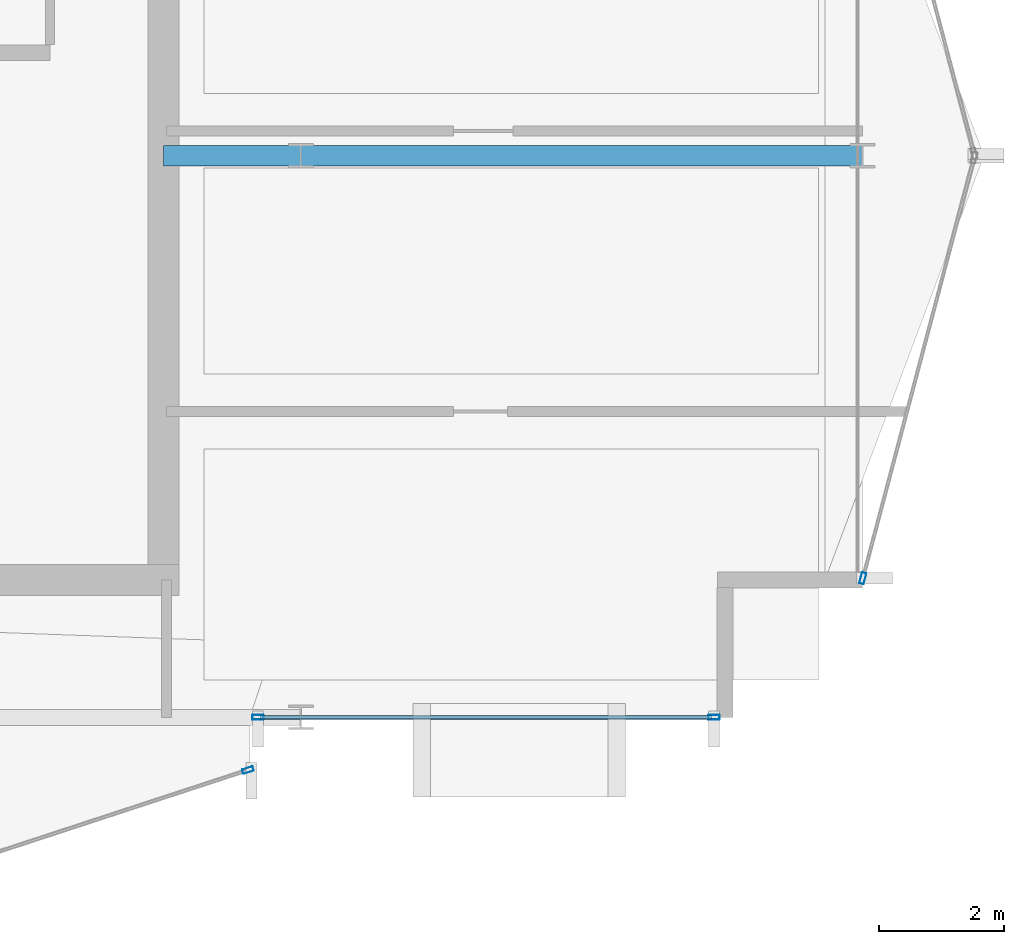
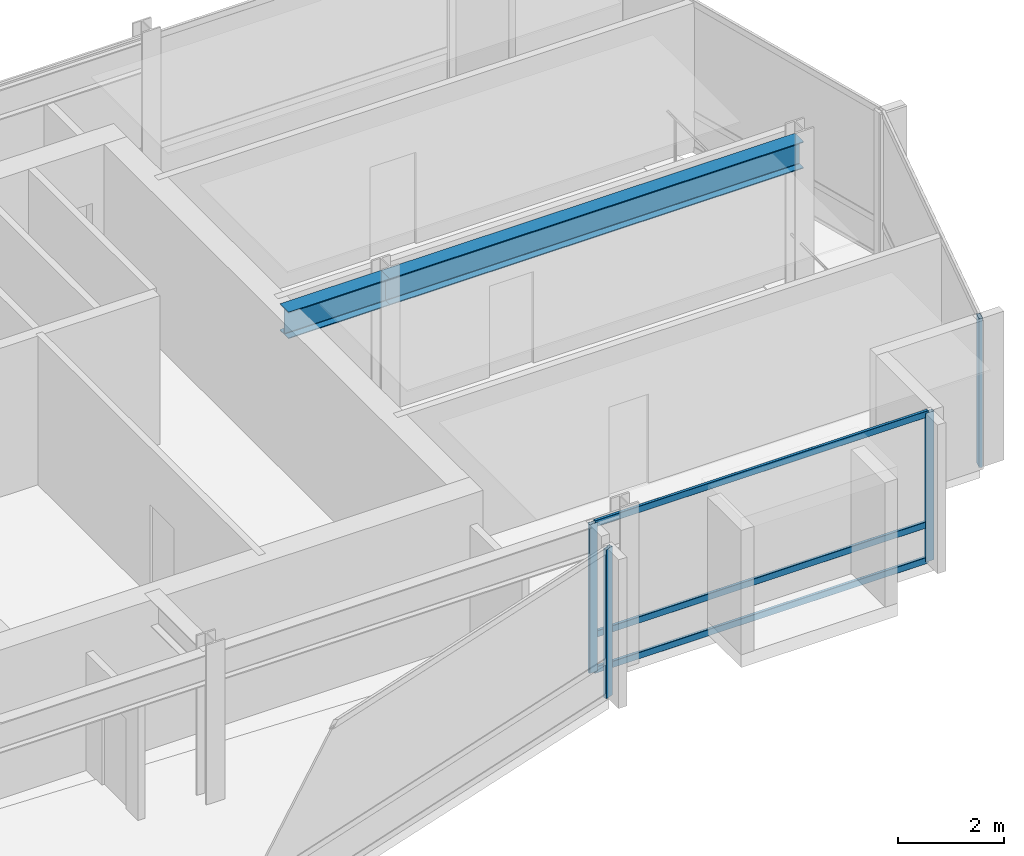
# One storey, part 10 of 28: 7 members, 2 beams, 3 elements without a shape of their own.
"""IFC4 building model written with IfcOpenShell, lengths in metres."""

from ifc_helpers import new_model, si_unit, direction, frame, origin, origin_2d, place, context, subcontext, project, spatial, hollow_rectangle, i_section, extrude, material, layer, layer_set, material_profile, profile_set, type_object, element, aggregate, save


model = new_model("IFC4")

# Units and contexts
model_context = context("Model", 3, precision=1e-05, world=origin(), true_north=direction((0.0, 1.0)))
body_context = subcontext(model_context, "Body", "Model", "MODEL_VIEW")
ifc_project = project(units=[si_unit("LENGTHUNIT", "METRE"), si_unit("AREAUNIT", "SQUARE_METRE"), si_unit("VOLUMEUNIT", "CUBIC_METRE"), si_unit("PLANEANGLEUNIT", "RADIAN"), si_unit("MASSUNIT", "GRAM", prefix="KILO")], contexts=[model_context])

# Site, building, storey
site_placement = place(None, origin())
site = spatial("IfcSite", under=ifc_project, at=site_placement, CompositionType="ELEMENT")
building_placement = place(site_placement, origin())
building = spatial("IfcBuilding", under=site, at=building_placement, Name="Solvaryn Broadcast Tower", CompositionType="ELEMENT")
storey_placement = place(building_placement, frame((0.0, 0.0, 213.60009765625)))
storey = spatial("IfcBuildingStorey", under=building, at=storey_placement, Name="L53", CompositionType="ELEMENT", Elevation=213.60009765625)

# Beams
ifc_material_1 = material(Name="Steel ASTM A992 Grade 50", Category="steel")
ifc_material_profile_1 = material_profile(ifc_material_1, i_section(OverallWidth=0.323974609375, OverallDepth=0.611083984375, WebThickness=0.0126953125, FlangeThickness=0.01904296875, FilletRadius=0.014892578125, at=origin_2d()))
ifc_profile_set_1 = profile_set([ifc_material_profile_1], Name="Steel ASTM A992 Grade 50")
beam_type = type_object("IfcBeamType", Name="BM-B1-W24X104", PredefinedType="BEAM", material=ifc_profile_set_1)
beam_1_placement = place(storey_placement, frame((45.0, 18.0, 3.114501953125), z_axis=(1.0, 0.0, 0.0), x_axis=(0.0, 1.0, 0.0)))
element("IfcBeam", 1, at=beam_1_placement, inside=storey, type_object=beam_type, Name="L53 Primary Beam X (45-54 @ Y=18)", PredefinedType="BEAM", context=body_context, shape_type="SweptSolid", body=[
    extrude(i_section(OverallWidth=0.323974609375, OverallDepth=0.611083984375, WebThickness=0.0126953125, FlangeThickness=0.01904296875, FilletRadius=0.014892578125, at=origin_2d()), origin(), (0.0, 0.0, 1.0), 9.0),
])
beam_2_placement = place(storey_placement, frame((42.800048828125, 18.0, 3.114501953125), z_axis=(1.0, 0.0, 0.0), x_axis=(0.0, 1.0, 0.0)))
element("IfcBeam", 2, at=beam_2_placement, inside=storey, type_object=beam_type, Name="L53 Core Tie Beam CTE3", PredefinedType="BEAM", context=body_context, shape_type="SweptSolid", body=[
    extrude(i_section(OverallWidth=0.323974609375, OverallDepth=0.611083984375, WebThickness=0.0126953125, FlangeThickness=0.01904296875, FilletRadius=0.014892578125, at=origin_2d()), origin(), (0.0, 0.0, 1.0), 2.199951171875),
])

# Curtain wall, member
ifc_material_2 = material(Name="Aluminium and Terracotta Unitised Curtain Wall", Category="masonry")
ifc_layer = layer(ifc_material_2, 0.199951171875)
ifc_layer_set = layer_set([ifc_layer], Name="CW-SYS2-LOWMID")
curtain_wall_type = type_object("IfcCurtainWallType", Name="CW-SYS2-LOWMID", PredefinedType="NOTDEFINED", material=ifc_layer_set)
curtain_wall_1_placement = place(storey_placement, origin())
curtain_wall_1 = element("IfcCurtainWall", 3, at=curtain_wall_1_placement, inside=storey, type_object=curtain_wall_type, Name="L53 Curtain Wall DR4", PredefinedType="NOTDEFINED")
ifc_material_3 = material(Name="Anodised Aluminium 6063-T6", Category="aluminium")
ifc_material_profile_2 = material_profile(ifc_material_3, hollow_rectangle(XDim=0.074951171875, YDim=0.179931640625, WallThickness=0.00390625, InnerFilletRadius=0.00390625, OuterFilletRadius=0.008056640625, at=origin_2d()))
ifc_profile_set_2 = profile_set([ifc_material_profile_2], Name="Anodised Aluminium 6063-T6")
member_type_1 = type_object("IfcMemberType", Name="CW-MUL-180", PredefinedType="MULLION", material=ifc_profile_set_2)
member_1_placement = place(storey_placement, frame((44.153564453125, 8.153564453125, 0.0), z_axis=(0.0, 0.0, 1.0), x_axis=(-0.311558717623, 0.950226902099, 0.0)))
member_1 = element("IfcMember", 4, at=member_1_placement, type_object=member_type_1, Name="CWS2 mullion 2", PredefinedType="MULLION", context=body_context, shape_type="SweptSolid", body=[
    extrude(hollow_rectangle(XDim=0.074951171875, YDim=0.179931640625, WallThickness=0.00390625, InnerFilletRadius=0.00390625, OuterFilletRadius=0.008056640625, at=origin_2d()), origin(), (0.0, 0.0, 1.0), 3.419921875),
])
aggregate(curtain_wall_1, [member_1])

# Curtain wall, members
curtain_wall_2_placement = place(storey_placement, origin())
curtain_wall_2 = element("IfcCurtainWall", 5, at=curtain_wall_2_placement, inside=storey, type_object=curtain_wall_type, Name="L53 Curtain Wall S2", PredefinedType="NOTDEFINED")
member_2_placement = place(storey_placement, frame((44.31201171875, 9.0, 0.0), z_axis=(0.0, 0.0, 1.0), x_axis=(0.0, 1.0, 0.0)))
member_2 = element("IfcMember", 6, at=member_2_placement, type_object=member_type_1, Name="CWS2 mullion 1", PredefinedType="MULLION", context=body_context, shape_type="SweptSolid", body=[
    extrude(hollow_rectangle(XDim=0.074951171875, YDim=0.179931640625, WallThickness=0.00390625, InnerFilletRadius=0.00390625, OuterFilletRadius=0.008056640625, at=origin_2d()), origin(), (0.0, 0.0, 1.0), 3.419921875),
])
member_3_placement = place(storey_placement, frame((51.6201171875, 9.0, 0.0), z_axis=(0.0, 0.0, 1.0), x_axis=(0.0, 1.0, 0.0)))
member_3 = element("IfcMember", 7, at=member_3_placement, type_object=member_type_1, Name="CWS2 mullion 2", PredefinedType="MULLION", context=body_context, shape_type="SweptSolid", body=[
    extrude(hollow_rectangle(XDim=0.074951171875, YDim=0.179931640625, WallThickness=0.00390625, InnerFilletRadius=0.00390625, OuterFilletRadius=0.008056640625, at=origin_2d()), origin(), (0.0, 0.0, 1.0), 3.419921875),
])

# Curtain wall, member
curtain_wall_3_placement = place(storey_placement, origin())
curtain_wall_3 = element("IfcCurtainWall", 8, at=curtain_wall_3_placement, inside=storey, type_object=curtain_wall_type, Name="L53 Curtain Wall ET2", PredefinedType="NOTDEFINED")
member_4_placement = place(storey_placement, frame((54.007568359375, 11.22900390625, 0.0), z_axis=(0.0, 0.0, 1.0), x_axis=(0.966705227863, -0.25589256031, 0.0)))
member_4 = element("IfcMember", 9, at=member_4_placement, type_object=member_type_1, Name="CWS2 mullion 2", PredefinedType="MULLION", context=body_context, shape_type="SweptSolid", body=[
    extrude(hollow_rectangle(XDim=0.074951171875, YDim=0.179931640625, WallThickness=0.00390625, InnerFilletRadius=0.00390625, OuterFilletRadius=0.008056640625, at=origin_2d()), origin(), (0.0, 0.0, 1.0), 3.419921875),
])
aggregate(curtain_wall_3, [member_4])

# Member
ifc_material_4 = material(Name="Anodised Aluminium 6063-T6", Category="aluminium")
ifc_material_profile_3 = material_profile(ifc_material_4, hollow_rectangle(XDim=0.06494140625, YDim=0.14990234375, WallThickness=0.00390625, InnerFilletRadius=0.00390625, OuterFilletRadius=0.008056640625, at=origin_2d()))
ifc_profile_set_3 = profile_set([ifc_material_profile_3], Name="Anodised Aluminium 6063-T6")
member_type_2 = type_object("IfcMemberType", Name="CW-TRN-150", PredefinedType="USERDEFINED", material=ifc_profile_set_3)
member_5_placement = place(storey_placement, frame((44.342041015625, 9.0, 0.02978515625), z_axis=(1.0, 0.0, 0.0), x_axis=(0.0, 1.0, 0.0)))
member_5 = element("IfcMember", 10, at=member_5_placement, type_object=member_type_2, Name="CWS2 transom 1.1", ObjectType="TRANSOM", PredefinedType="USERDEFINED", context=body_context, shape_type="SweptSolid", body=[
    extrude(hollow_rectangle(XDim=0.06494140625, YDim=0.14990234375, WallThickness=0.00390625, InnerFilletRadius=0.00390625, OuterFilletRadius=0.008056640625, at=origin_2d()), origin(), (0.0, 0.0, 1.0), 7.248046875),
])

member_6_placement = place(storey_placement, frame((44.342041015625, 9.0, 0.849853515625), z_axis=(1.0, 0.0, 0.0), x_axis=(0.0, 1.0, 0.0)))
member_6 = element("IfcMember", 11, at=member_6_placement, type_object=member_type_2, Name="CWS2 transom 1.2", ObjectType="TRANSOM", PredefinedType="USERDEFINED", context=body_context, shape_type="SweptSolid", body=[
    extrude(hollow_rectangle(XDim=0.06494140625, YDim=0.14990234375, WallThickness=0.00390625, InnerFilletRadius=0.00390625, OuterFilletRadius=0.008056640625, at=origin_2d()), origin(), (0.0, 0.0, 1.0), 7.248046875),
])

member_7_placement = place(storey_placement, frame((44.342041015625, 9.0, 3.389892578125), z_axis=(1.0, 0.0, 0.0), x_axis=(0.0, 1.0, 0.0)))
member_7 = element("IfcMember", 12, at=member_7_placement, type_object=member_type_2, Name="CWS2 transom 1.3", ObjectType="TRANSOM", PredefinedType="USERDEFINED", context=body_context, shape_type="SweptSolid", body=[
    extrude(hollow_rectangle(XDim=0.06494140625, YDim=0.14990234375, WallThickness=0.00390625, InnerFilletRadius=0.00390625, OuterFilletRadius=0.008056640625, at=origin_2d()), origin(), (0.0, 0.0, 1.0), 7.248046875),
])

aggregate(curtain_wall_2, [member_2, member_3, member_5, member_6, member_7])

save(model, "model.ifc")
